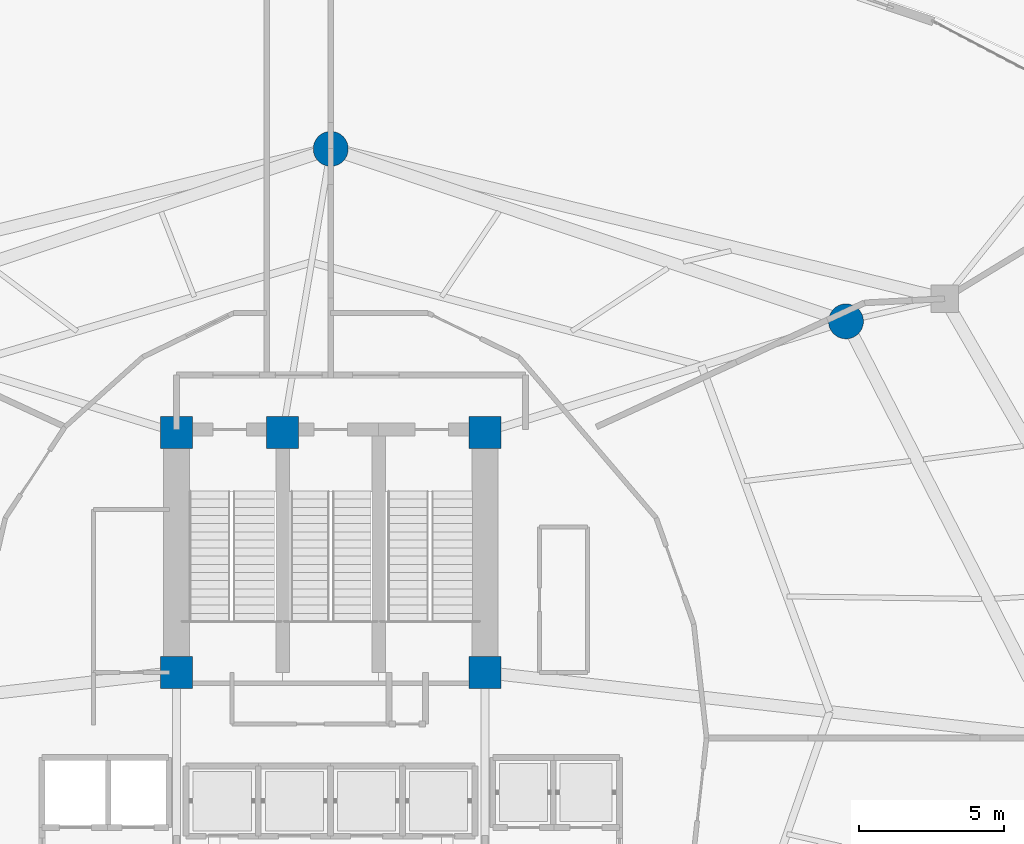
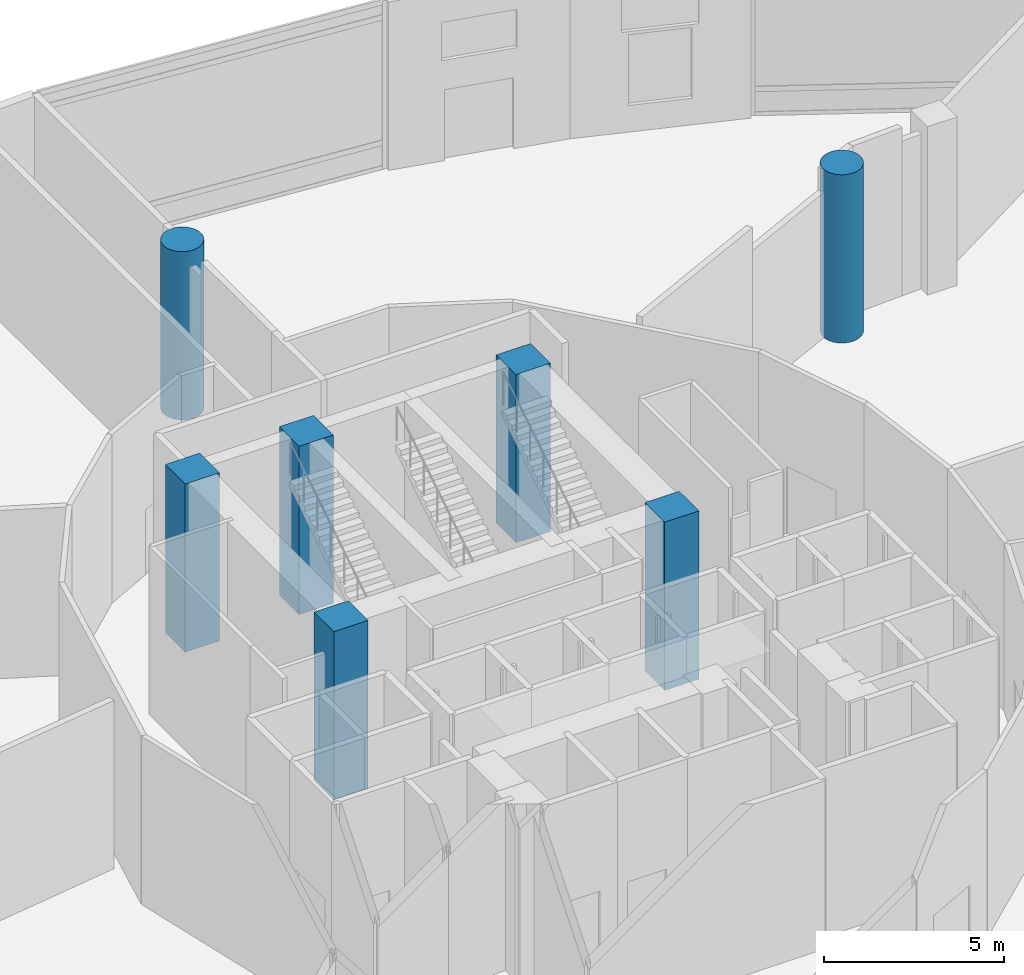
# One storey, part 5 of 40: 7 columns.
"""IFC4 building model written with IfcOpenShell, lengths in metres."""

from ifc_helpers import new_model, si_unit, direction, frame, origin, origin_2d, place, context, subcontext, project, spatial, rectangle, circle, extrude, material, material_profile, profile_set, type_object, element, save


model = new_model("IFC4")

# Units and contexts
model_context = context("Model", 3, precision=1e-05, world=origin(), true_north=direction((0.0, 1.0)))
body_context = subcontext(model_context, "Body", "Model", "MODEL_VIEW")
ifc_project = project(units=[si_unit("LENGTHUNIT", "METRE"), si_unit("AREAUNIT", "SQUARE_METRE"), si_unit("VOLUMEUNIT", "CUBIC_METRE"), si_unit("PLANEANGLEUNIT", "RADIAN"), si_unit("MASSUNIT", "GRAM", prefix="KILO")], contexts=[model_context])

# Site, building, storey
site_placement = place(None, origin())
site = spatial("IfcSite", under=ifc_project, at=site_placement, CompositionType="ELEMENT")
building_placement = place(site_placement, origin())
building = spatial("IfcBuilding", under=site, at=building_placement, Name="Nuhasar Tower", CompositionType="ELEMENT")
storey_placement = place(building_placement, origin())
storey = spatial("IfcBuildingStorey", under=building, at=storey_placement, Name="L00", CompositionType="ELEMENT", Elevation=0.0)

# Columns
ifc_material = material(Name="Concrete C80/95", Category="concrete")
ifc_material_profile_1 = material_profile(ifc_material, circle(Radius=0.60009765625, at=origin_2d()), Name="CFT1200")
ifc_profile_set_1 = profile_set([ifc_material_profile_1], Name="Concrete C80/95")
column_type_1 = type_object("IfcColumnType", Name="COL-CFT-1200", PredefinedType="COLUMN", material=ifc_profile_set_1)
for number, where, z_axis, x_axis, name in (
    (1, (56.712890625, 41.118896484375, 0.0), (0.0, 0.0, 1.0), (1.0, 0.0, 0.0), "L00 Perimeter Composite Column TC-04"),
    (2, (39.0, 47.050048828125, 0.0), (0.0, 0.0, 1.0), (1.0, 0.0, 0.0), "L00 Perimeter Composite Column TC-07"),
):
    element("IfcColumn", number, at=place(storey_placement, frame(where, z_axis=z_axis, x_axis=x_axis)), inside=storey, type_object=column_type_1, Name=name, PredefinedType="COLUMN", context=body_context, shape_type="SweptSolid", body=[
        extrude(circle(Radius=0.60009765625, at=origin_2d()), origin(), (0.0, 0.0, 1.0), 5.699951171875),
    ])
ifc_material_profile_2 = material_profile(ifc_material, rectangle(XDim=1.10009765625, YDim=1.10009765625, at=origin_2d()), Name="RC1100X1100")
ifc_profile_set_2 = profile_set([ifc_material_profile_2], Name="Concrete C80/95")
column_type_2 = type_object("IfcColumnType", Name="PIL-RC-1100", PredefinedType="PILASTER", material=ifc_profile_set_2)
for number, where, z_axis, x_axis, name in (
    (3, (44.300048828125, 29.050048828125, 0.0), (0.0, 0.0, 1.0), (1.0, 0.0, 0.0), "L00 Core Boundary Pilaster CC-04"),
    (4, (44.300048828125, 37.300048828125, 0.0), (0.0, 0.0, 1.0), (1.0, 0.0, 0.0), "L00 Core Boundary Pilaster CC-05"),
    (5, (37.35009765625, 37.300048828125, 0.0), (0.0, 0.0, 1.0), (1.0, 0.0, 0.0), "L00 Core Boundary Pilaster CC-06"),
    (6, (33.699951171875, 37.300048828125, 0.0), (0.0, 0.0, 1.0), (1.0, 0.0, 0.0), "L00 Core Boundary Pilaster CC-07"),
    (7, (33.699951171875, 29.050048828125, 0.0), (0.0, 0.0, 1.0), (1.0, 0.0, 0.0), "L00 Core Boundary Pilaster CC-08"),
):
    element("IfcColumn", number, at=place(storey_placement, frame(where, z_axis=z_axis, x_axis=x_axis)), inside=storey, type_object=column_type_2, Name=name, PredefinedType="PILASTER", context=body_context, shape_type="SweptSolid", body=[
        extrude(rectangle(XDim=1.10009765625, YDim=1.10009765625, at=origin_2d()), origin(), (0.0, 0.0, 1.0), 5.699951171875),
    ])

save(model, "model.ifc")
